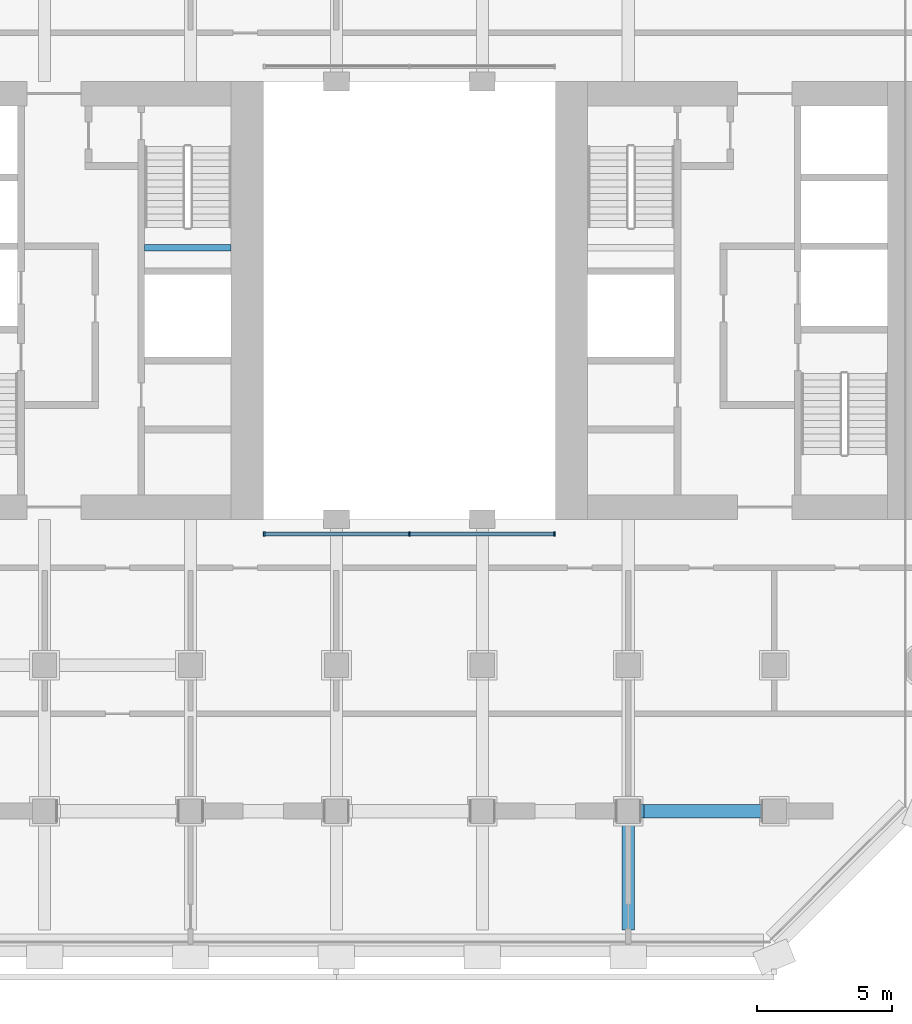
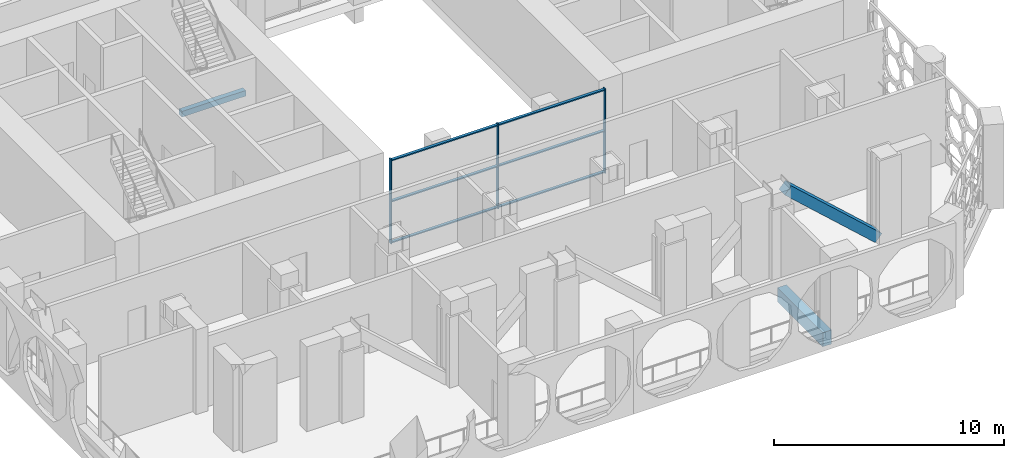
# One storey, part 2 of 17: 10 members, 2 beams, 1 element without a shape of its own.
"""IFC4 building model written with IfcOpenShell, lengths in metres."""

from ifc_helpers import new_model, si_unit, direction, frame, origin, origin_2d, place, context, subcontext, project, spatial, rectangle, extrude, material, material_profile, profile_set, type_object, element, aggregate, save


model = new_model("IFC4")

# Units and contexts
model_context = context("Model", 3, precision=1e-05, world=origin(), true_north=direction((0.0, 1.0)))
body_context = subcontext(model_context, "Body", "Model", "MODEL_VIEW")
ifc_project = project(units=[si_unit("LENGTHUNIT", "METRE"), si_unit("AREAUNIT", "SQUARE_METRE"), si_unit("VOLUMEUNIT", "CUBIC_METRE"), si_unit("PLANEANGLEUNIT", "RADIAN"), si_unit("MASSUNIT", "GRAM", prefix="KILO")], contexts=[model_context])

# Site, building, storey
site_placement = place(None, origin())
site = spatial("IfcSite", under=ifc_project, at=site_placement, CompositionType="ELEMENT")
building_placement = place(site_placement, origin())
building = spatial("IfcBuilding", under=site, at=building_placement, Name="Tabaq Tower and Sports Hall", CompositionType="ELEMENT")
storey_placement = place(building_placement, frame((0.0, 0.0, 125.800048828125)))
storey = spatial("IfcBuildingStorey", under=building, at=storey_placement, Name="L30", CompositionType="ELEMENT", Elevation=125.800048828125)

# Curtain wall, members
ifc_material_1 = material(Name="Aluminium alloy 6063-T6 framed glazing", Category="aluminium")
curtain_wall_type = type_object("IfcCurtainWallType", Name="CW1 curtain wall", PredefinedType="USERDEFINED", material=ifc_material_1)
curtain_wall_placement = place(storey_placement, origin())
curtain_wall = element("IfcCurtainWall", 1, at=curtain_wall_placement, inside=storey, type_object=curtain_wall_type, Name="Atrium glazing L30 S", ObjectType="ATRIUM ENCLOSURE", PredefinedType="USERDEFINED")
ifc_material_2 = material(Name="Aluminium alloy 6063-T6", Category="aluminium")
ifc_material_profile_1 = material_profile(ifc_material_2, rectangle(XDim=0.159912109375, YDim=0.06005859375, at=origin_2d()), Name="MULLION 160x60")
ifc_profile_set_1 = profile_set([ifc_material_profile_1], Name="Aluminium alloy 6063-T6")
member_type_1 = type_object("IfcMemberType", Name="CW1 mullion 160x60", PredefinedType="MULLION", material=ifc_profile_set_1)
member_1_placement = place(storey_placement, frame((18.929931640625, 15.64990234375, 0.0), z_axis=(0.0, 0.0, 1.0), x_axis=(0.0, 1.0, 0.0)))
member_1 = element("IfcMember", 2, at=member_1_placement, type_object=member_type_1, Name="CW1 mullion 1", PredefinedType="MULLION", context=body_context, shape_type="SweptSolid", body=[
    extrude(rectangle(XDim=0.159912109375, YDim=0.06005859375, at=origin_2d()), origin(), (0.0, 0.0, 1.0), 4.5),
])
member_2_placement = place(storey_placement, frame((24.300048828125, 15.64990234375, 0.0), z_axis=(0.0, 0.0, 1.0), x_axis=(0.0, 1.0, 0.0)))
member_2 = element("IfcMember", 3, at=member_2_placement, type_object=member_type_1, Name="CW1 mullion 2", PredefinedType="MULLION", context=body_context, shape_type="SweptSolid", body=[
    extrude(rectangle(XDim=0.159912109375, YDim=0.06005859375, at=origin_2d()), origin(), (0.0, 0.0, 1.0), 4.5),
])
member_3_placement = place(storey_placement, frame((29.669921875, 15.64990234375, 0.0), z_axis=(0.0, 0.0, 1.0), x_axis=(0.0, 1.0, 0.0)))
member_3 = element("IfcMember", 4, at=member_3_placement, type_object=member_type_1, Name="CW1 mullion 3", PredefinedType="MULLION", context=body_context, shape_type="SweptSolid", body=[
    extrude(rectangle(XDim=0.159912109375, YDim=0.06005859375, at=origin_2d()), origin(), (0.0, 0.0, 1.0), 4.5),
])
ifc_material_3 = material(Name="Aluminium alloy 6063-T6", Category="aluminium")
ifc_material_profile_2 = material_profile(ifc_material_3, rectangle(XDim=0.139892578125, YDim=0.06005859375, at=origin_2d()), Name="TRANSOM 140x60")
ifc_profile_set_2 = profile_set([ifc_material_profile_2], Name="Aluminium alloy 6063-T6")
member_type_2 = type_object("IfcMemberType", Name="CW1 transom 140x60", PredefinedType="USERDEFINED", material=ifc_profile_set_2)
member_4_placement = place(storey_placement, frame((18.9599609375, 15.64990234375, 0.070068359375), z_axis=(1.0, 0.0, 0.0), x_axis=(0.0, 1.0, 0.0)))
member_4 = element("IfcMember", 5, at=member_4_placement, type_object=member_type_2, Name="CW1 transom 1.1", ObjectType="TRANSOM", PredefinedType="USERDEFINED", context=body_context, shape_type="SweptSolid", body=[
    extrude(rectangle(XDim=0.139892578125, YDim=0.06005859375, at=origin_2d()), origin(), (0.0, 0.0, 1.0), 5.31005859375),
])
member_5_placement = place(storey_placement, frame((18.9599609375, 15.64990234375, 2.25), z_axis=(1.0, 0.0, 0.0), x_axis=(0.0, 1.0, 0.0)))
member_5 = element("IfcMember", 6, at=member_5_placement, type_object=member_type_2, Name="CW1 transom 1.2", ObjectType="TRANSOM", PredefinedType="USERDEFINED", context=body_context, shape_type="SweptSolid", body=[
    extrude(rectangle(XDim=0.139892578125, YDim=0.06005859375, at=origin_2d()), origin(), (0.0, 0.0, 1.0), 5.31005859375),
])
member_6_placement = place(storey_placement, frame((18.9599609375, 15.64990234375, 4.429931640625), z_axis=(1.0, 0.0, 0.0), x_axis=(0.0, 1.0, 0.0)))
member_6 = element("IfcMember", 7, at=member_6_placement, type_object=member_type_2, Name="CW1 transom 1.3", ObjectType="TRANSOM", PredefinedType="USERDEFINED", context=body_context, shape_type="SweptSolid", body=[
    extrude(rectangle(XDim=0.139892578125, YDim=0.06005859375, at=origin_2d()), origin(), (0.0, 0.0, 1.0), 5.31005859375),
])
member_7_placement = place(storey_placement, frame((24.330078125, 15.64990234375, 0.070068359375), z_axis=(1.0, 0.0, 0.0), x_axis=(0.0, 1.0, 0.0)))
member_7 = element("IfcMember", 8, at=member_7_placement, type_object=member_type_2, Name="CW1 transom 2.1", ObjectType="TRANSOM", PredefinedType="USERDEFINED", context=body_context, shape_type="SweptSolid", body=[
    extrude(rectangle(XDim=0.139892578125, YDim=0.06005859375, at=origin_2d()), origin(), (0.0, 0.0, 1.0), 5.309814453125),
])
member_8_placement = place(storey_placement, frame((24.330078125, 15.64990234375, 2.25), z_axis=(1.0, 0.0, 0.0), x_axis=(0.0, 1.0, 0.0)))
member_8 = element("IfcMember", 9, at=member_8_placement, type_object=member_type_2, Name="CW1 transom 2.2", ObjectType="TRANSOM", PredefinedType="USERDEFINED", context=body_context, shape_type="SweptSolid", body=[
    extrude(rectangle(XDim=0.139892578125, YDim=0.06005859375, at=origin_2d()), origin(), (0.0, 0.0, 1.0), 5.309814453125),
])
member_9_placement = place(storey_placement, frame((24.330078125, 15.64990234375, 4.429931640625), z_axis=(1.0, 0.0, 0.0), x_axis=(0.0, 1.0, 0.0)))
member_9 = element("IfcMember", 10, at=member_9_placement, type_object=member_type_2, Name="CW1 transom 2.3", ObjectType="TRANSOM", PredefinedType="USERDEFINED", context=body_context, shape_type="SweptSolid", body=[
    extrude(rectangle(XDim=0.139892578125, YDim=0.06005859375, at=origin_2d()), origin(), (0.0, 0.0, 1.0), 5.309814453125),
])
aggregate(curtain_wall, [member_1, member_2, member_3, member_4, member_5, member_6, member_7, member_8, member_9])

# Beam
ifc_material_4 = material(Name="Concrete C40/50", Category="concrete")
ifc_material_profile_3 = material_profile(ifc_material_4, rectangle(XDim=0.449951171875, YDim=0.75, at=origin_2d()), Name="CB 450x750")
ifc_profile_set_3 = profile_set([ifc_material_profile_3], Name="Concrete C40/50")
beam_type_1 = type_object("IfcBeamType", Name="PT CANTILEVER BEAM CB 450x750 C40/50", PredefinedType="BEAM", material=ifc_profile_set_3)
beam_1_placement = place(storey_placement, frame((32.39990234375, 1.0, -0.875), z_axis=(0.0, 1.0, 0.0), x_axis=(-1.0, 0.0, 0.0)))
element("IfcBeam", 11, at=beam_1_placement, inside=storey, type_object=beam_type_1, Name="Cantilever Beam L30 S6 span 1", PredefinedType="BEAM", context=body_context, shape_type="SweptSolid", body=[
    extrude(rectangle(XDim=0.449951171875, YDim=0.75, at=origin_2d()), origin(), (0.0, 0.0, 1.0), 3.949951171875),
])

# Member
ifc_material_5 = material(Name="Concrete C50/60", Category="concrete")
ifc_material_profile_4 = material_profile(ifc_material_5, rectangle(XDim=0.5, YDim=0.5, at=origin_2d()), Name="BELT STRUT 500x500")
ifc_profile_set_4 = profile_set([ifc_material_profile_4], Name="Concrete C50/60")
member_type_3 = type_object("IfcMemberType", Name="RC BELT TRUSS STRUT BELT STRUT 500x500 C50/60", PredefinedType="BRACE", material=ifc_profile_set_4)
member_10_placement = place(storey_placement, frame((37.3798828125, 5.39990234375, 0.185302734375), z_axis=(-0.741224491982, 0.0, 0.671257217828), x_axis=(0.0, -1.0, 0.0)))
element("IfcMember", 12, at=member_10_placement, inside=storey, type_object=member_type_3, Name="Belt Truss Strut L30 10", PredefinedType="BRACE", context=body_context, shape_type="SweptSolid", body=[
    extrude(rectangle(XDim=0.5, YDim=0.5, at=origin_2d()), origin(), (0.0, 0.0, 1.0), 6.151611328125),
])

# Beam
ifc_material_6 = material(Name="Concrete C40/50", Category="concrete")
ifc_material_profile_5 = material_profile(ifc_material_6, rectangle(XDim=0.25, YDim=0.300048828125, at=origin_2d()), Name="RC 250x300")
ifc_profile_set_5 = profile_set([ifc_material_profile_5], Name="Concrete C40/50")
beam_type_2 = type_object("IfcBeamType", Name="Stair landing beam 250x300", PredefinedType="BEAM", material=ifc_profile_set_5)
beam_2_placement = place(storey_placement, frame((14.5, 26.25, 2.050048828125), z_axis=(1.0, 0.0, 0.0), x_axis=(0.0, 1.0, 0.0)))
element("IfcBeam", 13, at=beam_2_placement, inside=storey, type_object=beam_type_2, Name="L30 ST2 landing beam 1", PredefinedType="BEAM", context=body_context, shape_type="SweptSolid", body=[
    extrude(rectangle(XDim=0.25, YDim=0.300048828125, at=origin_2d()), origin(), (0.0, 0.0, 1.0), 3.199951171875),
])

save(model, "model.ifc")
